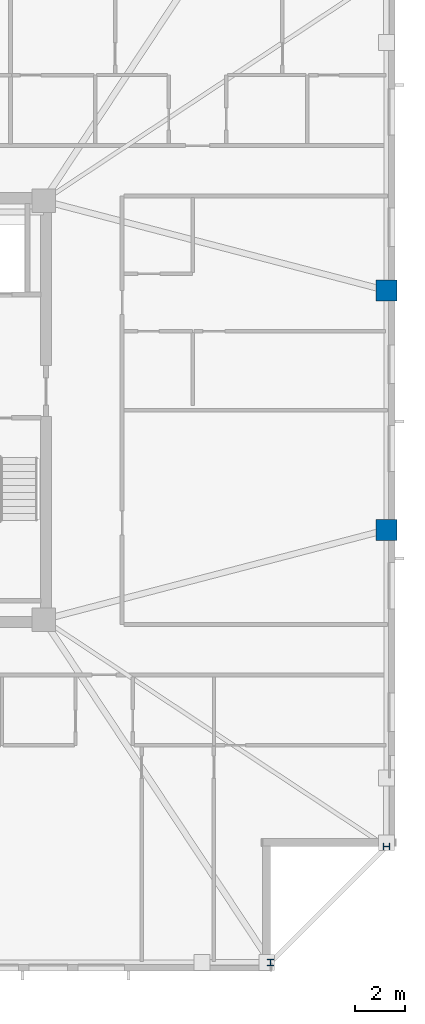
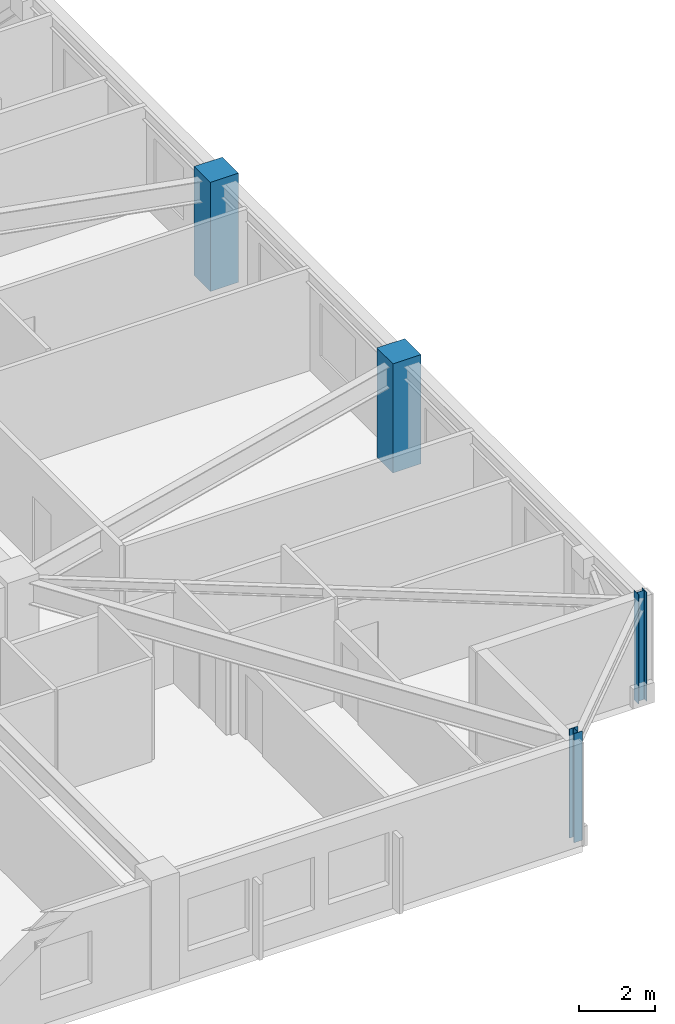
# One storey, part 3 of 17: 4 columns.
"""IFC4 building model written with IfcOpenShell, lengths in metres."""

from ifc_helpers import new_model, si_unit, direction, frame, origin, origin_2d, place, context, subcontext, project, spatial, rectangle, i_section, extrude, material, material_profile, profile_set, type_object, element, save


model = new_model("IFC4")

# Units and contexts
model_context = context("Model", 3, precision=1e-05, world=origin(), true_north=direction((0.0, 1.0)))
body_context = subcontext(model_context, "Body", "Model", "MODEL_VIEW")
ifc_project = project(units=[si_unit("LENGTHUNIT", "METRE"), si_unit("AREAUNIT", "SQUARE_METRE"), si_unit("VOLUMEUNIT", "CUBIC_METRE"), si_unit("PLANEANGLEUNIT", "RADIAN"), si_unit("MASSUNIT", "GRAM", prefix="KILO")], contexts=[model_context])

# Site, building, storey
site_placement = place(None, origin())
site = spatial("IfcSite", under=ifc_project, at=site_placement, CompositionType="ELEMENT")
building_placement = place(site_placement, origin())
building = spatial("IfcBuilding", under=site, at=building_placement, Name="Cairnveth Concourse Tower", CompositionType="ELEMENT")
storey_placement = place(building_placement, frame((0.0, 0.0, 230.5)))
storey = spatial("IfcBuildingStorey", under=building, at=storey_placement, Name="L63", CompositionType="ELEMENT", Elevation=230.5)

# Columns
ifc_material_1 = material(Name="Concrete N65 (65 MPa)", Category="concrete")
ifc_material_profile_1 = material_profile(ifc_material_1, rectangle(XDim=0.85009765625, YDim=0.85009765625, at=origin_2d()), Name="RC-COL-850x850")
ifc_profile_set_1 = profile_set([ifc_material_profile_1], Name="Concrete N65 (65 MPa)")
column_type_1 = type_object("IfcColumnType", Name="PERIMETER PIER COLUMN 850X850", PredefinedType="COLUMN", material=ifc_profile_set_1)
for number, where, z_axis, x_axis, name in (
    (1, (74.14990234375, 34.199951171875, 0.0), (0.0, 0.0, 1.0), (0.0, 1.0, 0.0), "Column P-E2 L63"),
    (2, (74.14990234375, 43.800048828125, 0.0), (0.0, 0.0, 1.0), (0.0, 1.0, 0.0), "Column P-E3 L63"),
):
    element("IfcColumn", number, at=place(storey_placement, frame(where, z_axis=z_axis, x_axis=x_axis)), inside=storey, type_object=column_type_1, Name=name, PredefinedType="COLUMN", context=body_context, shape_type="SweptSolid", body=[
        extrude(rectangle(XDim=0.85009765625, YDim=0.85009765625, at=origin_2d()), origin(), (0.0, 0.0, 1.0), 3.5),
    ])
ifc_material_2 = material(Name="Steel Grade 350", Category="steel")
ifc_material_profile_2 = material_profile(ifc_material_2, i_section(OverallWidth=0.256103515625, OverallDepth=0.260009765625, WebThickness=0.010498046875, FlangeThickness=0.017333984375, FilletRadius=0.012939453125, at=origin_2d()), Name="250UC89.5")
ifc_profile_set_2 = profile_set([ifc_material_profile_2], Name="Steel Grade 350")
column_type_2 = type_object("IfcColumnType", Name="UNIVERSAL STEEL COLUMN 250UC89.5", PredefinedType="COLUMN", material=ifc_profile_set_2)
for number, where, z_axis, x_axis, name in (
    (3, (69.5, 16.85009765625, 0.0), (0.0, 0.0, 1.0), (1.0, 0.0, 0.0), "Column P-S4 L63"),
    (4, (74.14990234375, 21.5, 0.0), (0.0, 0.0, 1.0), (0.0, 1.0, 0.0), "Column P-E1 L63"),
):
    element("IfcColumn", number, at=place(storey_placement, frame(where, z_axis=z_axis, x_axis=x_axis)), inside=storey, type_object=column_type_2, Name=name, PredefinedType="COLUMN", context=body_context, shape_type="SweptSolid", body=[
        extrude(i_section(OverallWidth=0.256103515625, OverallDepth=0.260009765625, WebThickness=0.010498046875, FlangeThickness=0.017333984375, FilletRadius=0.012939453125, at=origin_2d()), origin(), (0.0, 0.0, 1.0), 3.5),
    ])

save(model, "model.ifc")
